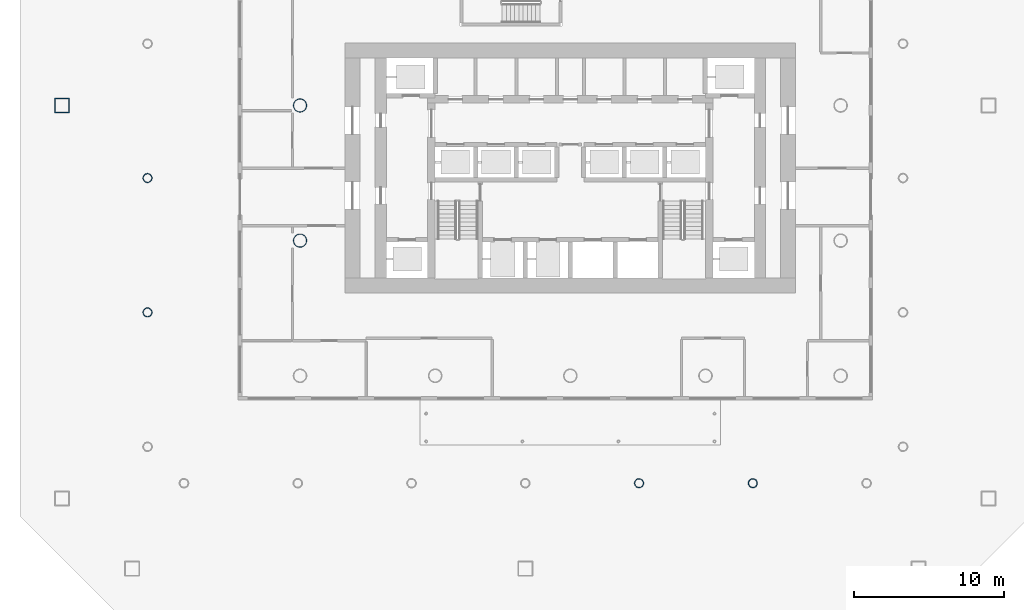
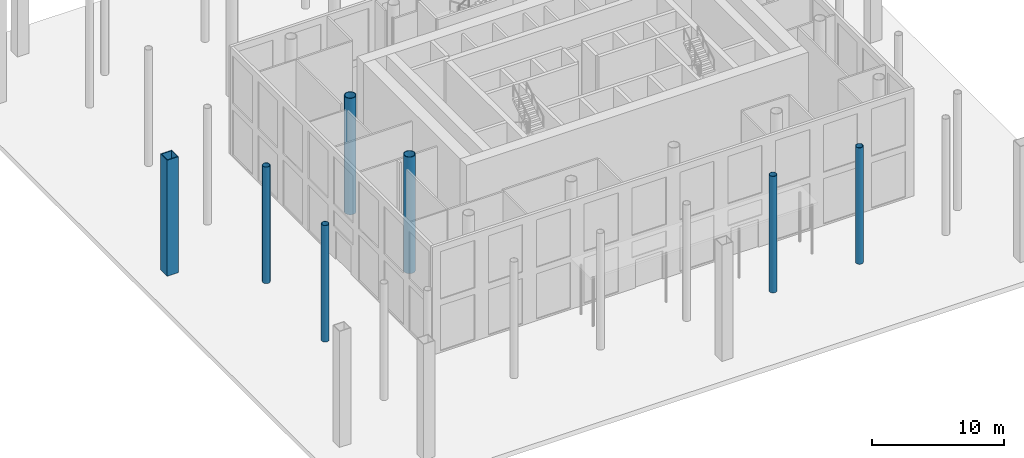
# One storey, part 3 of 18: 7 columns.
"""IFC4 building model written with IfcOpenShell, lengths in metres."""

from ifc_helpers import new_model, si_unit, direction, frame, origin, origin_2d, place, context, subcontext, project, spatial, hollow_rectangle, hollow_circle, extrude, material, material_profile, profile_set, type_object, element, save


model = new_model("IFC4")

# Units and contexts
model_context = context("Model", 3, precision=1e-05, world=origin(), true_north=direction((0.0, 1.0)))
body_context = subcontext(model_context, "Body", "Model", "MODEL_VIEW")
ifc_project = project(units=[si_unit("LENGTHUNIT", "METRE"), si_unit("AREAUNIT", "SQUARE_METRE"), si_unit("VOLUMEUNIT", "CUBIC_METRE"), si_unit("PLANEANGLEUNIT", "RADIAN"), si_unit("MASSUNIT", "GRAM", prefix="KILO")], contexts=[model_context])

# Site, building, storey
site_placement = place(None, origin())
site = spatial("IfcSite", under=ifc_project, at=site_placement, CompositionType="ELEMENT")
building_placement = place(site_placement, origin())
building = spatial("IfcBuilding", under=site, at=building_placement, Name="Tskaro Facet Tower", CompositionType="ELEMENT")
storey_placement = place(building_placement, origin())
storey = spatial("IfcBuildingStorey", under=building, at=storey_placement, Name="L00", CompositionType="ELEMENT", Elevation=0.0)

# Columns
ifc_material_1 = material(Name="Steel S460M", Category="steel")
ifc_material_profile_1 = material_profile(ifc_material_1, hollow_rectangle(XDim=1.0, YDim=1.0, WallThickness=0.06005859375, at=origin_2d()), Name="BOX 1000x1000x60")
ifc_profile_set_1 = profile_set([ifc_material_profile_1], Name="Steel S460M")
column_type_1 = type_object("IfcColumnType", Name="BOX 1000x1000x60 mega column", PredefinedType="COLUMN", material=ifc_profile_set_1)
column_placement = place(storey_placement, frame((-33.85009765625, 0.0, 0.0), z_axis=(0.0, 0.0, 1.0), x_axis=(1.0, 0.0, 0.0)))
element("IfcColumn", 1, at=column_placement, inside=storey, type_object=column_type_1, Name="BOX 1000x1000x60 MC11/G", PredefinedType="COLUMN", context=body_context, shape_type="SweptSolid", body=[
    extrude(hollow_rectangle(XDim=1.0, YDim=1.0, WallThickness=0.06005859375, at=origin_2d()), origin(), (0.0, 0.0, 1.0), 10.76318359375),
])
ifc_material_2 = material(Name="Steel S355J2H", Category="steel")
ifc_material_profile_2 = material_profile(ifc_material_2, hollow_circle(Radius=0.304931640625, WallThickness=0.030029296875, at=origin_2d()), Name="CHS 610x30")
ifc_profile_set_2 = profile_set([ifc_material_profile_2], Name="Steel S355J2H")
column_type_2 = type_object("IfcColumnType", Name="CHS 610x30 ring column", PredefinedType="COLUMN", material=ifc_profile_set_2)
for number, where, z_axis, x_axis, name in (
    (2, (4.575927734375, -25.156982421875, 0.0), (0.0, 0.0, 1.0), (1.0, 0.0, 0.0), "CHS 610x30 RS-5/1"),
    (3, (12.153076171875, -25.156982421875, 0.0), (0.0, 0.0, 1.0), (1.0, 0.0, 0.0), "CHS 610x30 RS-6/1"),
    (4, (-28.156982421875, -4.8330078125, 0.0), (0.0, 0.0, 1.0), (1.0, 0.0, 0.0), "CHS 610x30 RW-4/1"),
    (5, (-28.156982421875, -13.781005859375, 0.0), (0.0, 0.0, 1.0), (1.0, 0.0, 0.0), "CHS 610x30 RW-5/1"),
):
    element("IfcColumn", number, at=place(storey_placement, frame(where, z_axis=z_axis, x_axis=x_axis)), inside=storey, type_object=column_type_2, Name=name, PredefinedType="COLUMN", context=body_context, shape_type="SweptSolid", body=[
        extrude(hollow_circle(Radius=0.304931640625, WallThickness=0.030029296875, at=origin_2d()), origin(), (0.0, 0.0, 1.0), 10.800048828125),
    ])
ifc_material_profile_3 = material_profile(ifc_material_2, hollow_circle(Radius=0.457275390625, WallThickness=0.050048828125, at=origin_2d()), Name="CHS 914.4x50")
ifc_profile_set_3 = profile_set([ifc_material_profile_3], Name="Steel S355J2H")
column_type_3 = type_object("IfcColumnType", Name="CHS 914.4x50 interior column", PredefinedType="COLUMN", material=ifc_profile_set_3)
for number, where, z_axis, x_axis, name in (
    (6, (-18.0, -9.0, 0.0), (0.0, 0.0, 1.0), (1.0, 0.0, 0.0), "CHS 914.4x50 C2C/1"),
    (7, (-18.0, 0.0, 0.0), (0.0, 0.0, 1.0), (1.0, 0.0, 0.0), "CHS 914.4x50 C2D/1"),
):
    element("IfcColumn", number, at=place(storey_placement, frame(where, z_axis=z_axis, x_axis=x_axis)), inside=storey, type_object=column_type_3, Name=name, PredefinedType="COLUMN", context=body_context, shape_type="SweptSolid", body=[
        extrude(hollow_circle(Radius=0.457275390625, WallThickness=0.050048828125, at=origin_2d()), origin(), (0.0, 0.0, 1.0), 10.800048828125),
    ])

save(model, "model.ifc")
